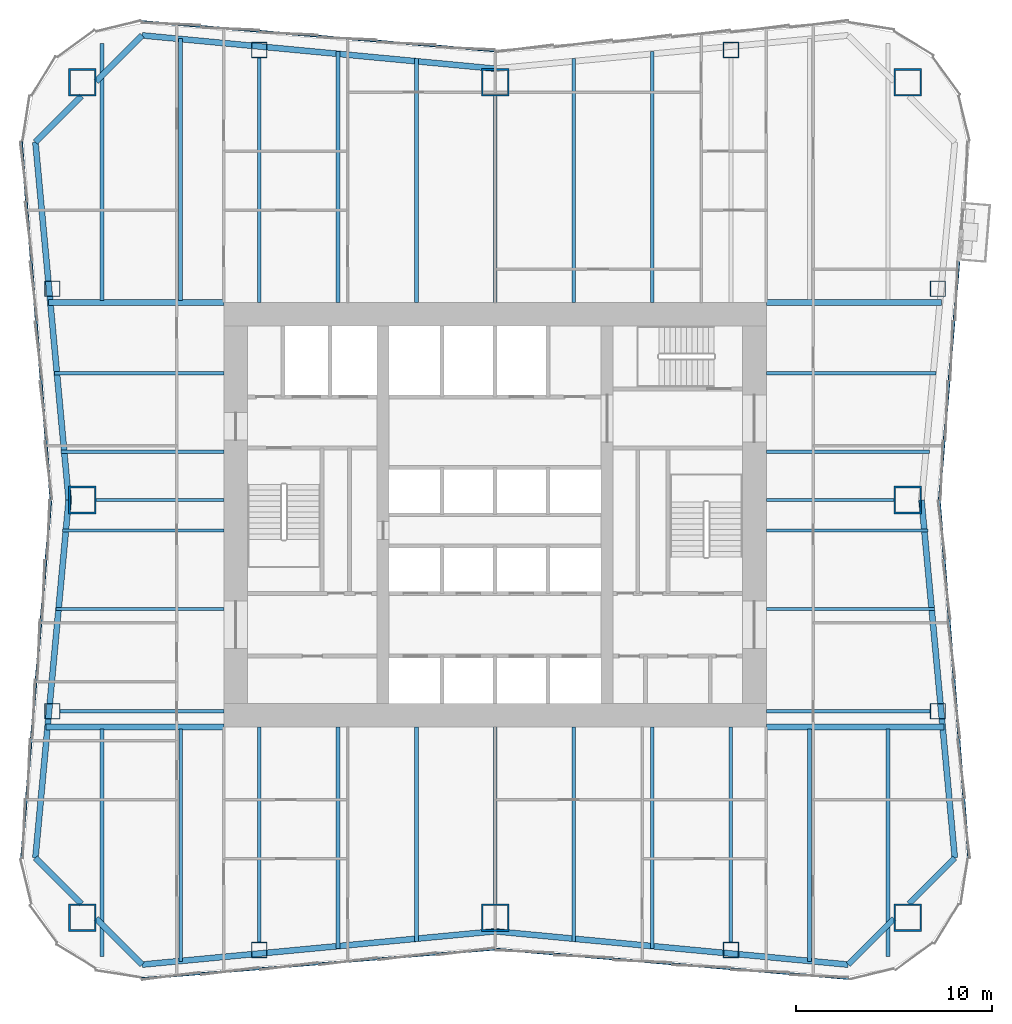
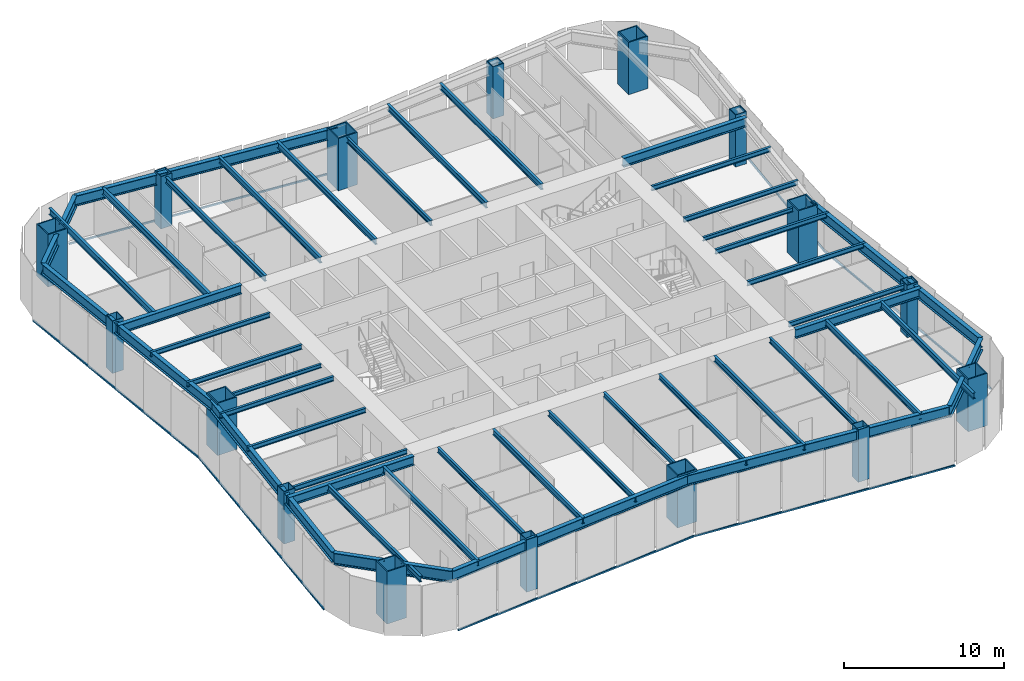
# One storey, part 1 of 9: 47 beams, 16 columns, 7 members, 4 elements without a shape of their own.
"""IFC4 building model written with IfcOpenShell, lengths in metres."""

import ifcopenshell
import ifcopenshell.guid

model = None  # the IFC model being written
_history = None  # IfcOwnerHistory: only IFC2X3 demands one
_inside = {}  # id of a spatial element -> (the spatial element, [elements in it])
_under = {}  # id of a project, library or spatial element -> (it, [spatial elements below it])
_declared = {}  # id of a project -> (the project, [libraries it declares])
_typed = {}  # id of a type object -> (the type object, [elements of that type])
_made_of = {}  # id of a material, layer set ... -> (it, [elements and type objects made of it])


def new_model(schema):
    """Start an empty IFC model of exactly this schema.

    Asked for "IFC4X3", IfcOpenShell would pick the latest addendum, in which some entities
    have other attributes; the version numbers below select the first issue.
    IFC2X3 requires an IfcOwnerHistory on every rooted entity: one is made here for all.
    """
    global model, _history
    if schema == "IFC4X3":
        model = ifcopenshell.file(schema_version=(4, 3, 0, 0))
    else:
        model = ifcopenshell.file(schema=schema)
    _inside.clear()
    _under.clear()
    _declared.clear()
    _typed.clear()
    _made_of.clear()
    _history = None
    if model.schema == "IFC2X3":
        org = make("IfcOrganization", Name="unknown")
        user = make(
            "IfcPersonAndOrganization",
            ThePerson=make("IfcPerson", FamilyName="unknown"),
            TheOrganization=org,
        )
        app = make(
            "IfcApplication",
            ApplicationDeveloper=org,
            Version="unknown",
            ApplicationFullName="unknown",
            ApplicationIdentifier="unknown",
        )
        _history = make(
            "IfcOwnerHistory",
            OwningUser=user,
            OwningApplication=app,
            ChangeAction="ADDED",
            CreationDate=0,
        )
    return model


def make(cls, **values):
    """One entity of the class cls with the attributes given. An attribute that is None is left unset."""
    return model.create_entity(
        cls, **{name: value for name, value in values.items() if value is not None}
    )


def rooted(cls, **values):
    """An entity with a GlobalId (a new one), such as an element, a storey or a relation."""
    return make(cls, GlobalId=ifcopenshell.guid.new(), OwnerHistory=_history, **values)


def si_unit(unit_type, name, prefix=None):
    """IfcSIUnit, for example si_unit("LENGTHUNIT", "METRE", prefix="MILLI")."""
    return make("IfcSIUnit", UnitType=unit_type, Prefix=prefix, Name=name)


def assignment(units):
    """IfcUnitAssignment: the units of a project."""
    return None if units is None else make("IfcUnitAssignment", Units=units)


def point(xyz):
    """IfcCartesianPoint."""
    return None if xyz is None else make("IfcCartesianPoint", Coordinates=xyz)


def direction(xyz):
    """IfcDirection."""
    return None if xyz is None else make("IfcDirection", DirectionRatios=xyz)


def frame(location, z_axis=None, x_axis=None):
    """IfcAxis2Placement3D, a coordinate frame: its origin and axes. An axis left out is left unset."""
    return make(
        "IfcAxis2Placement3D",
        Location=point(location),
        Axis=direction(z_axis),
        RefDirection=direction(x_axis),
    )


def frame_2d(location, x_axis=None):
    """IfcAxis2Placement2D, a coordinate frame in the plane: its origin and x axis."""
    return make(
        "IfcAxis2Placement2D", Location=point(location), RefDirection=direction(x_axis)
    )


def origin():
    """The frame at (0, 0, 0) with its axes left unset."""
    return frame((0.0, 0.0, 0.0))


def origin_2d():
    """The frame at (0, 0) in the plane with its x axis left unset."""
    return frame_2d((0.0, 0.0))


def place(relative_to, where):
    """IfcLocalPlacement: puts the frame where relative to a parent placement (None: the world)."""
    return make(
        "IfcLocalPlacement", PlacementRelTo=relative_to, RelativePlacement=where
    )


def context(
    kind, dimensions, precision=None, world=None, true_north=None, identifier=None
):
    """IfcGeometricRepresentationContext, for example the 3D "Model" context."""
    return make(
        "IfcGeometricRepresentationContext",
        ContextIdentifier=identifier,
        ContextType=kind,
        CoordinateSpaceDimension=dimensions,
        Precision=precision,
        WorldCoordinateSystem=world,
        TrueNorth=true_north,
    )


def subcontext(parent, identifier, kind, view, scale=None):
    """IfcGeometricRepresentationSubContext, for example "Body" below "Model"."""
    return make(
        "IfcGeometricRepresentationSubContext",
        ContextIdentifier=identifier,
        ContextType=kind,
        ParentContext=parent,
        TargetScale=scale,
        TargetView=view,
    )


def project(units=None, contexts=None):
    """IfcProject with its units and contexts."""
    return rooted(
        "IfcProject",
        Name="project",
        RepresentationContexts=contexts,
        UnitsInContext=assignment(units),
    )


def spatial(cls, under=None, at=None, **own):
    """A site, building, storey or space (cls), placed at a placement, below another one or the project."""
    s = rooted(cls, ObjectPlacement=at, **own)
    if under is not None:
        _under.setdefault(under.id(), (under, []))[1].append(s)
    return s


def profile(cls, at=None, kind="AREA", **sizes):
    """A parametric profile (cls). Its sizes go by their IFC names, for example OverallWidth=200.0."""
    return make(cls, ProfileType=kind, Position=at, **sizes)


def rectangle(**sizes):
    """IfcRectangleProfileDef."""
    return profile("IfcRectangleProfileDef", **sizes)


def hollow_rectangle(**sizes):
    """IfcRectangleHollowProfileDef."""
    return profile("IfcRectangleHollowProfileDef", **sizes)


def i_section(**sizes):
    """IfcIShapeProfileDef."""
    return profile("IfcIShapeProfileDef", **sizes)


def extrude(swept, where, along, depth):
    """IfcExtrudedAreaSolid: the profile swept, set in the frame where, extruded along a direction by depth."""
    return make(
        "IfcExtrudedAreaSolid",
        SweptArea=swept,
        Position=where,
        ExtrudedDirection=direction(along),
        Depth=depth,
    )


def shape(context_of_items, identifier, shape_type, items):
    """IfcShapeRepresentation: the items that make up one representation, for example the "Body"."""
    return make(
        "IfcShapeRepresentation",
        ContextOfItems=context_of_items,
        RepresentationIdentifier=identifier,
        RepresentationType=shape_type,
        Items=items,
    )


def material(Name=None, Category=None):
    """IfcMaterial."""
    return make("IfcMaterial", Name=Name, Category=Category)


def material_profile(
    of_material, cross_section, Name=None, Category=None, Priority=None
):
    """IfcMaterialProfile: a cross section and its material."""
    return make(
        "IfcMaterialProfile",
        Name=Name,
        Material=of_material,
        Profile=cross_section,
        Priority=Priority,
        Category=Category,
    )


def profile_set(profiles, Name=None, composite=None):
    """IfcMaterialProfileSet."""
    return make(
        "IfcMaterialProfileSet",
        Name=Name,
        MaterialProfiles=profiles,
        CompositeProfile=composite,
    )


def made_of(thing, what):
    """Note that an element or type object is made of a material, layer set ...; save() writes the relation."""
    if what is not None:
        _made_of.setdefault(what.id(), (what, []))[1].append(thing)
    return thing


def type_object(cls, material=None, **own):
    """A type object (cls), such as IfcWallType, which elements share."""
    return made_of(rooted(cls, **own), material)


def element(
    cls,
    number,
    at=None,
    inside=None,
    cuts=None,
    type_object=None,
    material=None,
    context=None,
    identifier="Body",
    shape_type=None,
    held_by="IfcProductDefinitionShape",
    body=None,
    shapes=None,
    **own,
):
    """One element of the class cls, such as IfcWall. Its Tag is "e" and its number.

    at: its placement. inside: the storey or other place that contains it. cuts: it is an
    opening in that element (IfcRelVoidsElement). A single representation is given by context,
    identifier, shape_type and body (its items); several are given by shapes. held_by: the class
    of the entity that holds the representations. save() writes the other relations.
    """
    e = rooted(cls, Tag="e%d" % number, ObjectPlacement=at, **own)
    if body is not None:
        shapes = [shape(context, identifier, shape_type, body)]
    if shapes is not None:
        e.Representation = make(held_by, Representations=shapes)
    if inside is not None:
        _inside.setdefault(inside.id(), (inside, []))[1].append(e)
    if cuts is not None:
        rooted(
            "IfcRelVoidsElement", RelatingBuildingElement=cuts, RelatedOpeningElement=e
        )
    if type_object is not None:
        _typed.setdefault(type_object.id(), (type_object, []))[1].append(e)
    return made_of(e, material)


def aggregate(whole, parts):
    """IfcRelAggregates: a whole, such as a stair, and the parts it consists of."""
    return rooted("IfcRelAggregates", RelatingObject=whole, RelatedObjects=parts)


def save(model, path):
    """Write the relations noted so far, then the file.

    IfcRelAggregates (storeys below a building ...), IfcRelContainedInSpatialStructure (elements
    in a storey), IfcRelDefinesByType, IfcRelAssociatesMaterial and IfcRelDeclares: one each for
    every whole, place, type object, material and project.
    """
    for whole, parts in _under.values():
        aggregate(whole, parts)
    for where, things in _inside.values():
        rooted(
            "IfcRelContainedInSpatialStructure",
            RelatedElements=things,
            RelatingStructure=where,
        )
    for kind, things in _typed.values():
        rooted("IfcRelDefinesByType", RelatedObjects=things, RelatingType=kind)
    for what, things in _made_of.values():
        rooted("IfcRelAssociatesMaterial", RelatedObjects=things, RelatingMaterial=what)
    for by, libraries in _declared.values():
        rooted("IfcRelDeclares", RelatingContext=by, RelatedDefinitions=libraries)
    model.write(path)


model = new_model("IFC4")

# Units and contexts
model_context = context("Model", 3, precision=1e-05, world=origin(), true_north=direction((0.0, 1.0)))
body_context = subcontext(model_context, "Body", "Model", "MODEL_VIEW")
ifc_project = project(units=[si_unit("LENGTHUNIT", "METRE"), si_unit("AREAUNIT", "SQUARE_METRE"), si_unit("VOLUMEUNIT", "CUBIC_METRE"), si_unit("PLANEANGLEUNIT", "RADIAN"), si_unit("MASSUNIT", "GRAM", prefix="KILO")], contexts=[model_context])

# Site, building, storey
site_placement = place(None, origin())
site = spatial("IfcSite", under=ifc_project, at=site_placement, CompositionType="ELEMENT")
building_placement = place(site_placement, origin())
building = spatial("IfcBuilding", under=site, at=building_placement, Name="Verdant Reach Tower", CompositionType="ELEMENT")
storey_placement = place(building_placement, frame((0.0, 0.0, 98.0)))
storey = spatial("IfcBuildingStorey", under=building, at=storey_placement, Name="L22", CompositionType="ELEMENT", Elevation=98.0)

# Columns
ifc_material_1 = material(Name="Steel S460", Category="steel")
ifc_material_profile_1 = material_profile(ifc_material_1, hollow_rectangle(XDim=1.39990234375, YDim=1.39990234375, WallThickness=0.080078125, at=origin_2d()), Name="WB 1400x1400x80")
ifc_profile_set_1 = profile_set([ifc_material_profile_1], Name="Steel S460")
column_type_1 = type_object("IfcColumnType", Name="ST-COL-WB1400x1400x80", PredefinedType="COLUMN", material=ifc_profile_set_1)
for number, where, z_axis, x_axis, name in (
    (1, (-21.0, 50.0, 0.0), (0.0, 0.0, 1.0), (1.0, 0.0, 0.0), "Mega column north-west, L22"),
    (2, (0.0, 50.0, 0.0), (0.0, 0.0, 1.0), (1.0, 0.0, 0.0), "Mega column north, L22"),
    (3, (21.0, 50.0, 0.0), (0.0, 0.0, 1.0), (1.0, 0.0, 0.0), "Mega column north-east, L22"),
    (4, (21.0, 28.75, 0.0), (0.0, 0.0, 1.0), (1.0, 0.0, 0.0), "Mega column east, L22"),
    (5, (21.0, 7.5, 0.0), (0.0, 0.0, 1.0), (1.0, 0.0, 0.0), "Mega column south-east, L22"),
    (6, (0.0, 7.5, 0.0), (0.0, 0.0, 1.0), (1.0, 0.0, 0.0), "Mega column south, L22"),
    (7, (-21.0, 7.5, 0.0), (0.0, 0.0, 1.0), (1.0, 0.0, 0.0), "Mega column south-west, L22"),
    (8, (-21.0, 28.75, 0.0), (0.0, 0.0, 1.0), (1.0, 0.0, 0.0), "Mega column west, L22"),
):
    element("IfcColumn", number, at=place(storey_placement, frame(where, z_axis=z_axis, x_axis=x_axis)), inside=storey, type_object=column_type_1, Name=name, PredefinedType="COLUMN", context=body_context, shape_type="SweptSolid", body=[
        extrude(hollow_rectangle(XDim=1.39990234375, YDim=1.39990234375, WallThickness=0.080078125, at=origin_2d()), origin(), (0.0, 0.0, 1.0), 4.0),
    ])
ifc_material_profile_2 = material_profile(ifc_material_1, hollow_rectangle(XDim=0.800048828125, YDim=0.800048828125, WallThickness=0.0400390625, at=origin_2d()), Name="WB 800x800x40")
ifc_profile_set_2 = profile_set([ifc_material_profile_2], Name="Steel S460")
column_type_2 = type_object("IfcColumnType", Name="ST-COL-WB800x800x40", PredefinedType="COLUMN", material=ifc_profile_set_2)
for number, where, z_axis, x_axis, name in (
    (9, (-12.0, 51.64990234375, 0.0), (0.0, 0.0, 1.0), (1.0, 0.0, 0.0), "Perimeter column north 1, L22"),
    (10, (12.0, 51.64990234375, 0.0), (0.0, 0.0, 1.0), (1.0, 0.0, 0.0), "Perimeter column north 2, L22"),
    (11, (-12.0, 5.85009765625, 0.0), (0.0, 0.0, 1.0), (1.0, 0.0, 0.0), "Perimeter column south 1, L22"),
    (12, (12.0, 5.85009765625, 0.0), (0.0, 0.0, 1.0), (1.0, 0.0, 0.0), "Perimeter column south 2, L22"),
    (13, (22.53369140625, 18.0, 0.0), (0.0, 0.0, 1.0), (1.0, 0.0, 0.0), "Perimeter column east 1, L22"),
    (14, (22.53369140625, 39.5, 0.0), (0.0, 0.0, 1.0), (1.0, 0.0, 0.0), "Perimeter column east 2, L22"),
    (15, (-22.53369140625, 18.0, 0.0), (0.0, 0.0, 1.0), (1.0, 0.0, 0.0), "Perimeter column west 1, L22"),
    (16, (-22.53369140625, 39.5, 0.0), (0.0, 0.0, 1.0), (1.0, 0.0, 0.0), "Perimeter column west 2, L22"),
):
    element("IfcColumn", number, at=place(storey_placement, frame(where, z_axis=z_axis, x_axis=x_axis)), inside=storey, type_object=column_type_2, Name=name, PredefinedType="COLUMN", context=body_context, shape_type="SweptSolid", body=[
        extrude(hollow_rectangle(XDim=0.800048828125, YDim=0.800048828125, WallThickness=0.0400390625, at=origin_2d()), origin(), (0.0, 0.0, 1.0), 4.0),
    ])

# Curtain wall, members
ifc_material_2 = material(Name="Anodised aluminium", Category="aluminium")
curtain_wall_type = type_object("IfcCurtainWallType", Name="EN-CW SYSTEM Z1", PredefinedType="NOTDEFINED", material=ifc_material_2)
curtain_wall_1_placement = place(storey_placement, origin())
curtain_wall_1 = element("IfcCurtainWall", 17, at=curtain_wall_1_placement, inside=storey, type_object=curtain_wall_type, Name="Curtain wall east, L22", PredefinedType="NOTDEFINED")
ifc_material_profile_3 = material_profile(ifc_material_2, rectangle(XDim=0.10009765625, YDim=0.1220703125, at=origin_2d()), Name="Transom 122x100")
ifc_profile_set_3 = profile_set([ifc_material_profile_3], Name="Anodised aluminium")
member_type = type_object("IfcMemberType", Name="EN-TRANSOM Z1", PredefinedType="USERDEFINED", material=ifc_profile_set_3)
member_1_placement = place(storey_placement, frame((24.100341796875, 10.52490234375, -0.2890625), z_axis=(-0.081886623329, 0.996641651207, 0.0), x_axis=(-0.996641651207, -0.081886623329, 0.0)))
member_1 = element("IfcMember", 18, at=member_1_placement, type_object=member_type, Name="Transom east face part 1 1.1, L22", ObjectType="TRANSOM", PredefinedType="USERDEFINED", context=body_context, shape_type="SweptSolid", body=[
    extrude(rectangle(XDim=0.10009765625, YDim=0.1220703125, at=origin_2d()), origin(), (0.0, 0.0, 1.0), 18.25537109375),
])
member_2_placement = place(storey_placement, frame((22.60546875, 28.781005859375, -0.2890625), z_axis=(0.081948400518, 0.996636573507, 0.0), x_axis=(-0.996636573507, 0.081948400518, 0.0)))
member_2 = element("IfcMember", 19, at=member_2_placement, type_object=member_type, Name="Transom east face part 2 1.1, L22", ObjectType="TRANSOM", PredefinedType="USERDEFINED", context=body_context, shape_type="SweptSolid", body=[
    extrude(rectangle(XDim=0.10009765625, YDim=0.1220703125, at=origin_2d()), origin(), (0.0, 0.0, 1.0), 12.13720703125),
])
aggregate(curtain_wall_1, [member_1, member_2])

# Curtain wall, member
curtain_wall_2_placement = place(storey_placement, origin())
curtain_wall_2 = element("IfcCurtainWall", 20, at=curtain_wall_2_placement, inside=storey, type_object=curtain_wall_type, Name="Curtain wall north, L22", PredefinedType="NOTDEFINED")
member_3_placement = place(storey_placement, frame((-0.031005859375, 51.60546875, -0.2890625), z_axis=(-0.996547815143, 0.083020793384, 0.0), x_axis=(-0.083020793384, -0.996547815143, 0.0)))
member_3 = element("IfcMember", 21, at=member_3_placement, type_object=member_type, Name="Transom north face part 2 1.1, L22", ObjectType="TRANSOM", PredefinedType="USERDEFINED", context=body_context, shape_type="SweptSolid", body=[
    extrude(rectangle(XDim=0.10009765625, YDim=0.1220703125, at=origin_2d()), origin(), (0.0, 0.0, 1.0), 18.006103515625),
])
aggregate(curtain_wall_2, [member_3])

# Curtain wall, members
curtain_wall_3_placement = place(storey_placement, origin())
curtain_wall_3 = element("IfcCurtainWall", 22, at=curtain_wall_3_placement, inside=storey, type_object=curtain_wall_type, Name="Curtain wall west, L22", PredefinedType="NOTDEFINED")
member_4_placement = place(storey_placement, frame((-24.100341796875, 46.97509765625, -0.2890625), z_axis=(0.081886623329, -0.996641651207, 0.0), x_axis=(0.996641651207, 0.081886623329, 0.0)))
member_4 = element("IfcMember", 23, at=member_4_placement, type_object=member_type, Name="Transom west face part 1 1.1, L22", ObjectType="TRANSOM", PredefinedType="USERDEFINED", context=body_context, shape_type="SweptSolid", body=[
    extrude(rectangle(XDim=0.10009765625, YDim=0.1220703125, at=origin_2d()), origin(), (0.0, 0.0, 1.0), 18.25537109375),
])
member_5_placement = place(storey_placement, frame((-22.60546875, 28.718994140625, -0.2890625), z_axis=(-0.081886623329, -0.996641651207, 0.0), x_axis=(0.996641651207, -0.081886623329, 0.0)))
member_5 = element("IfcMember", 24, at=member_5_placement, type_object=member_type, Name="Transom west face part 2 1.1, L22", ObjectType="TRANSOM", PredefinedType="USERDEFINED", context=body_context, shape_type="SweptSolid", body=[
    extrude(rectangle(XDim=0.10009765625, YDim=0.1220703125, at=origin_2d()), origin(), (0.0, 0.0, 1.0), 18.25537109375),
])
aggregate(curtain_wall_3, [member_4, member_5])

curtain_wall_4_placement = place(storey_placement, origin())
curtain_wall_4 = element("IfcCurtainWall", 25, at=curtain_wall_4_placement, inside=storey, type_object=curtain_wall_type, Name="Curtain wall south, L22", PredefinedType="NOTDEFINED")
member_6_placement = place(storey_placement, frame((-17.974853515625, 4.399658203125, -0.2890625), z_axis=(0.996547815143, 0.083020793384, 0.0), x_axis=(-0.083020793384, 0.996547815143, 0.0)))
member_6 = element("IfcMember", 26, at=member_6_placement, type_object=member_type, Name="Transom south face part 1 1.1, L22", ObjectType="TRANSOM", PredefinedType="USERDEFINED", context=body_context, shape_type="SweptSolid", body=[
    extrude(rectangle(XDim=0.10009765625, YDim=0.1220703125, at=origin_2d()), origin(), (0.0, 0.0, 1.0), 18.006103515625),
])
member_7_placement = place(storey_placement, frame((0.031005859375, 5.89453125, -0.2890625), z_axis=(0.996547815143, -0.083020793384, 0.0), x_axis=(0.083020793384, 0.996547815143, 0.0)))
member_7 = element("IfcMember", 27, at=member_7_placement, type_object=member_type, Name="Transom south face part 2 1.1, L22", ObjectType="TRANSOM", PredefinedType="USERDEFINED", context=body_context, shape_type="SweptSolid", body=[
    extrude(rectangle(XDim=0.10009765625, YDim=0.1220703125, at=origin_2d()), origin(), (0.0, 0.0, 1.0), 18.006103515625),
])
aggregate(curtain_wall_4, [member_6, member_7])

# Beams
ifc_material_3 = material(Name="Steel S355", Category="steel")
ifc_material_profile_4 = material_profile(ifc_material_3, i_section(OverallWidth=0.300048828125, OverallDepth=0.699951171875, WebThickness=0.01708984375, FlangeThickness=0.031982421875, FilletRadius=0.027099609375, at=origin_2d()), Name="HEB 700")
ifc_profile_set_4 = profile_set([ifc_material_profile_4], Name="Steel S355")
beam_type_1 = type_object("IfcBeamType", Name="ST-BEAM-HEB700", PredefinedType="BEAM", material=ifc_profile_set_4)
for number, where, z_axis, x_axis, name in (
    (28, (13.800048828125, 38.800048828125, 3.52001953125), (1.0, 0.0, 0.0), (0.0, 1.0, 0.0), "Trimmer beam, L22"),
    (29, (-13.800048828125, 38.800048828125, 3.52001953125), (-1.0, 0.0, 0.0), (0.0, -1.0, 0.0), "Trimmer beam, L22"),
):
    element("IfcBeam", number, at=place(storey_placement, frame(where, z_axis=z_axis, x_axis=x_axis)), inside=storey, type_object=beam_type_1, Name=name, PredefinedType="BEAM", context=body_context, shape_type="SweptSolid", body=[
        extrude(i_section(OverallWidth=0.300048828125, OverallDepth=0.699951171875, WebThickness=0.01708984375, FlangeThickness=0.031982421875, FilletRadius=0.027099609375, at=origin_2d()), origin(), (0.0, 0.0, 1.0), 8.924072265625),
    ])
for number, where, z_axis, x_axis, name in (
    (30, (13.800048828125, 17.199951171875, 3.52001953125), (1.0, 0.0, 0.0), (0.0, 1.0, 0.0), "Trimmer beam, L22"),
    (31, (-13.800048828125, 17.199951171875, 3.52001953125), (-1.0, 0.0, 0.0), (0.0, -1.0, 0.0), "Trimmer beam, L22"),
):
    element("IfcBeam", number, at=place(storey_placement, frame(where, z_axis=z_axis, x_axis=x_axis)), inside=storey, type_object=beam_type_1, Name=name, PredefinedType="BEAM", context=body_context, shape_type="SweptSolid", body=[
        extrude(i_section(OverallWidth=0.300048828125, OverallDepth=0.699951171875, WebThickness=0.01708984375, FlangeThickness=0.031982421875, FilletRadius=0.027099609375, at=origin_2d()), origin(), (0.0, 0.0, 1.0), 9.04736328125),
    ])
ifc_material_profile_5 = material_profile(ifc_material_3, i_section(OverallWidth=0.14990234375, OverallDepth=0.300048828125, WebThickness=0.007080078125, FlangeThickness=0.0107421875, FilletRadius=0.014892578125, at=origin_2d()), Name="IPE 300")
ifc_profile_set_5 = profile_set([ifc_material_profile_5], Name="Steel S355")
beam_type_2 = type_object("IfcBeamType", Name="ST-JOIST-IPE300", PredefinedType="JOIST", material=ifc_profile_set_5)
for number, where, z_axis, x_axis, name in (
    (32, (13.800048828125, 28.75, 3.719970703125), (1.0, 0.0, 0.0), (0.0, 1.0, 0.0), "Floor joist, L22"),
    (33, (-13.800048828125, 28.75, 3.719970703125), (-1.0, 0.0, 0.0), (0.0, -1.0, 0.0), "Floor joist, L22"),
):
    element("IfcBeam", number, at=place(storey_placement, frame(where, z_axis=z_axis, x_axis=x_axis)), inside=storey, type_object=beam_type_2, Name=name, PredefinedType="JOIST", context=body_context, shape_type="SweptSolid", body=[
        extrude(i_section(OverallWidth=0.14990234375, OverallDepth=0.300048828125, WebThickness=0.007080078125, FlangeThickness=0.0107421875, FilletRadius=0.014892578125, at=origin_2d()), origin(), (0.0, 0.0, 1.0), 6.5),
    ])
ifc_material_profile_6 = material_profile(ifc_material_3, i_section(OverallWidth=0.169921875, OverallDepth=0.360107421875, WebThickness=0.008056640625, FlangeThickness=0.0126953125, FilletRadius=0.01806640625, at=origin_2d()), Name="IPE 360")
ifc_profile_set_6 = profile_set([ifc_material_profile_6], Name="Steel S355")
beam_type_3 = type_object("IfcBeamType", Name="ST-JOIST-IPE360", PredefinedType="JOIST", material=ifc_profile_set_6)
beam_1_placement = place(storey_placement, frame((0.0, 17.199951171875, 3.68994140625), z_axis=(0.0, -1.0, 0.0), x_axis=(1.0, 0.0, 0.0)))
element("IfcBeam", 34, at=beam_1_placement, inside=storey, type_object=beam_type_3, Name="Floor joist, L22", PredefinedType="JOIST", context=body_context, shape_type="SweptSolid", body=[
    extrude(i_section(OverallWidth=0.169921875, OverallDepth=0.360107421875, WebThickness=0.008056640625, FlangeThickness=0.0126953125, FilletRadius=0.01806640625, at=origin_2d()), origin(), (0.0, 0.0, 1.0), 9.0),
])
for number, where, z_axis, x_axis, name in (
    (35, (13.800048828125, 18.0, 3.68994140625), (1.0, 0.0, 0.0), (0.0, 1.0, 0.0), "Floor joist, L22"),
    (36, (-13.800048828125, 18.0, 3.68994140625), (-1.0, 0.0, 0.0), (0.0, -1.0, 0.0), "Floor joist, L22"),
):
    element("IfcBeam", number, at=place(storey_placement, frame(where, z_axis=z_axis, x_axis=x_axis)), inside=storey, type_object=beam_type_3, Name=name, PredefinedType="JOIST", context=body_context, shape_type="SweptSolid", body=[
        extrude(i_section(OverallWidth=0.169921875, OverallDepth=0.360107421875, WebThickness=0.008056640625, FlangeThickness=0.0126953125, FilletRadius=0.01806640625, at=origin_2d()), origin(), (0.0, 0.0, 1.0), 8.33349609375),
    ])
for number, where, z_axis, x_axis, name in (
    (37, (13.800048828125, 23.199951171875, 3.68994140625), (1.0, 0.0, 0.0), (0.0, 1.0, 0.0), "Floor joist, L22"),
    (38, (-13.800048828125, 23.199951171875, 3.68994140625), (-1.0, 0.0, 0.0), (0.0, -1.0, 0.0), "Floor joist, L22"),
):
    element("IfcBeam", number, at=place(storey_placement, frame(where, z_axis=z_axis, x_axis=x_axis)), inside=storey, type_object=beam_type_3, Name=name, PredefinedType="JOIST", context=body_context, shape_type="SweptSolid", body=[
        extrude(i_section(OverallWidth=0.169921875, OverallDepth=0.360107421875, WebThickness=0.008056640625, FlangeThickness=0.0126953125, FilletRadius=0.01806640625, at=origin_2d()), origin(), (0.0, 0.0, 1.0), 8.553955078125),
    ])
for number, where, z_axis, x_axis, name in (
    (39, (13.800048828125, 27.199951171875, 3.68994140625), (1.0, 0.0, 0.0), (0.0, 1.0, 0.0), "Floor joist, L22"),
    (40, (-13.800048828125, 27.199951171875, 3.68994140625), (-1.0, 0.0, 0.0), (0.0, -1.0, 0.0), "Floor joist, L22"),
):
    element("IfcBeam", number, at=place(storey_placement, frame(where, z_axis=z_axis, x_axis=x_axis)), inside=storey, type_object=beam_type_3, Name=name, PredefinedType="JOIST", context=body_context, shape_type="SweptSolid", body=[
        extrude(i_section(OverallWidth=0.169921875, OverallDepth=0.360107421875, WebThickness=0.008056640625, FlangeThickness=0.0126953125, FilletRadius=0.01806640625, at=origin_2d()), origin(), (0.0, 0.0, 1.0), 8.225341796875),
    ])
for number, where, z_axis, x_axis, name in (
    (41, (13.800048828125, 31.199951171875, 3.68994140625), (1.0, 0.0, 0.0), (0.0, 1.0, 0.0), "Floor joist, L22"),
    (42, (-13.800048828125, 31.199951171875, 3.68994140625), (-1.0, 0.0, 0.0), (0.0, -1.0, 0.0), "Floor joist, L22"),
):
    element("IfcBeam", number, at=place(storey_placement, frame(where, z_axis=z_axis, x_axis=x_axis)), inside=storey, type_object=beam_type_3, Name=name, PredefinedType="JOIST", context=body_context, shape_type="SweptSolid", body=[
        extrude(i_section(OverallWidth=0.169921875, OverallDepth=0.360107421875, WebThickness=0.008056640625, FlangeThickness=0.0126953125, FilletRadius=0.01806640625, at=origin_2d()), origin(), (0.0, 0.0, 1.0), 8.29931640625),
    ])
for number, where, z_axis, x_axis, name in (
    (43, (13.800048828125, 35.199951171875, 3.68994140625), (1.0, 0.0, 0.0), (0.0, 1.0, 0.0), "Floor joist, L22"),
    (44, (-13.800048828125, 35.199951171875, 3.68994140625), (-1.0, 0.0, 0.0), (0.0, -1.0, 0.0), "Floor joist, L22"),
):
    element("IfcBeam", number, at=place(storey_placement, frame(where, z_axis=z_axis, x_axis=x_axis)), inside=storey, type_object=beam_type_3, Name=name, PredefinedType="JOIST", context=body_context, shape_type="SweptSolid", body=[
        extrude(i_section(OverallWidth=0.169921875, OverallDepth=0.360107421875, WebThickness=0.008056640625, FlangeThickness=0.0126953125, FilletRadius=0.01806640625, at=origin_2d()), origin(), (0.0, 0.0, 1.0), 8.6279296875),
    ])
ifc_material_profile_7 = material_profile(ifc_material_3, i_section(OverallWidth=0.179931640625, OverallDepth=0.39990234375, WebThickness=0.008544921875, FlangeThickness=0.013427734375, FilletRadius=0.02099609375, at=origin_2d()), Name="IPE 400")
ifc_profile_set_7 = profile_set([ifc_material_profile_7], Name="Steel S355")
beam_type_4 = type_object("IfcBeamType", Name="ST-JOIST-IPE400", PredefinedType="JOIST", material=ifc_profile_set_7)
beam_2_placement = place(storey_placement, frame((-12.0, 17.199951171875, 3.669921875), z_axis=(0.0, -1.0, 0.0), x_axis=(1.0, 0.0, 0.0)))
element("IfcBeam", 45, at=beam_2_placement, inside=storey, type_object=beam_type_4, Name="Floor joist, L22", PredefinedType="JOIST", context=body_context, shape_type="SweptSolid", body=[
    extrude(i_section(OverallWidth=0.179931640625, OverallDepth=0.39990234375, WebThickness=0.008544921875, FlangeThickness=0.013427734375, FilletRadius=0.02099609375, at=origin_2d()), origin(), (0.0, 0.0, 1.0), 10.949951171875),
])
beam_3_placement = place(storey_placement, frame((-4.0, 17.199951171875, 3.669921875), z_axis=(0.0, -1.0, 0.0), x_axis=(1.0, 0.0, 0.0)))
element("IfcBeam", 46, at=beam_3_placement, inside=storey, type_object=beam_type_4, Name="Floor joist, L22", PredefinedType="JOIST", context=body_context, shape_type="SweptSolid", body=[
    extrude(i_section(OverallWidth=0.179931640625, OverallDepth=0.39990234375, WebThickness=0.008544921875, FlangeThickness=0.013427734375, FilletRadius=0.02099609375, at=origin_2d()), origin(), (0.0, 0.0, 1.0), 10.93115234375),
])
beam_4_placement = place(storey_placement, frame((0.0, 38.800048828125, 3.669921875), z_axis=(0.0, 1.0, 0.0), x_axis=(-1.0, 0.0, 0.0)))
element("IfcBeam", 47, at=beam_4_placement, inside=storey, type_object=beam_type_4, Name="Floor joist, L22", PredefinedType="JOIST", context=body_context, shape_type="SweptSolid", body=[
    extrude(i_section(OverallWidth=0.179931640625, OverallDepth=0.39990234375, WebThickness=0.008544921875, FlangeThickness=0.013427734375, FilletRadius=0.02099609375, at=origin_2d()), origin(), (0.0, 0.0, 1.0), 10.5),
])
beam_5_placement = place(storey_placement, frame((4.0, 17.199951171875, 3.669921875), z_axis=(0.0, -1.0, 0.0), x_axis=(1.0, 0.0, 0.0)))
element("IfcBeam", 48, at=beam_5_placement, inside=storey, type_object=beam_type_4, Name="Floor joist, L22", PredefinedType="JOIST", context=body_context, shape_type="SweptSolid", body=[
    extrude(i_section(OverallWidth=0.179931640625, OverallDepth=0.39990234375, WebThickness=0.008544921875, FlangeThickness=0.013427734375, FilletRadius=0.02099609375, at=origin_2d()), origin(), (0.0, 0.0, 1.0), 10.93115234375),
])
beam_6_placement = place(storey_placement, frame((12.0, 17.199951171875, 3.669921875), z_axis=(0.0, -1.0, 0.0), x_axis=(1.0, 0.0, 0.0)))
element("IfcBeam", 49, at=beam_6_placement, inside=storey, type_object=beam_type_4, Name="Floor joist, L22", PredefinedType="JOIST", context=body_context, shape_type="SweptSolid", body=[
    extrude(i_section(OverallWidth=0.179931640625, OverallDepth=0.39990234375, WebThickness=0.008544921875, FlangeThickness=0.013427734375, FilletRadius=0.02099609375, at=origin_2d()), origin(), (0.0, 0.0, 1.0), 10.949951171875),
])
ifc_material_profile_8 = material_profile(ifc_material_3, i_section(OverallWidth=0.18994140625, OverallDepth=0.449951171875, WebThickness=0.009521484375, FlangeThickness=0.0146484375, FilletRadius=0.02099609375, at=origin_2d()), Name="IPE 450")
ifc_profile_set_8 = profile_set([ifc_material_profile_8], Name="Steel S355")
beam_type_5 = type_object("IfcBeamType", Name="ST-JOIST-IPE450", PredefinedType="JOIST", material=ifc_profile_set_8)
beam_7_placement = place(storey_placement, frame((-20.0, 17.10009765625, 3.64501953125), z_axis=(0.0, -1.0, 0.0), x_axis=(1.0, 0.0, 0.0)))
element("IfcBeam", 50, at=beam_7_placement, inside=storey, type_object=beam_type_5, Name="Floor joist, L22", PredefinedType="JOIST", context=body_context, shape_type="SweptSolid", body=[
    extrude(i_section(OverallWidth=0.18994140625, OverallDepth=0.449951171875, WebThickness=0.009521484375, FlangeThickness=0.0146484375, FilletRadius=0.02099609375, at=origin_2d()), origin(), (0.0, 0.0, 1.0), 11.590576171875),
])
beam_8_placement = place(storey_placement, frame((-16.0, 17.10009765625, 3.64501953125), z_axis=(0.0, -1.0, 0.0), x_axis=(1.0, 0.0, 0.0)))
element("IfcBeam", 51, at=beam_8_placement, inside=storey, type_object=beam_type_5, Name="Floor joist, L22", PredefinedType="JOIST", context=body_context, shape_type="SweptSolid", body=[
    extrude(i_section(OverallWidth=0.18994140625, OverallDepth=0.449951171875, WebThickness=0.009521484375, FlangeThickness=0.0146484375, FilletRadius=0.02099609375, at=origin_2d()), origin(), (0.0, 0.0, 1.0), 11.831298828125),
])
beam_9_placement = place(storey_placement, frame((-12.0, 38.800048828125, 3.64501953125), z_axis=(0.0, 1.0, 0.0), x_axis=(-1.0, 0.0, 0.0)))
element("IfcBeam", 52, at=beam_9_placement, inside=storey, type_object=beam_type_5, Name="Floor joist, L22", PredefinedType="JOIST", context=body_context, shape_type="SweptSolid", body=[
    extrude(i_section(OverallWidth=0.18994140625, OverallDepth=0.449951171875, WebThickness=0.009521484375, FlangeThickness=0.0146484375, FilletRadius=0.02099609375, at=origin_2d()), origin(), (0.0, 0.0, 1.0), 12.449951171875),
])
beam_10_placement = place(storey_placement, frame((-8.0, 38.800048828125, 3.64501953125), z_axis=(0.0, 1.0, 0.0), x_axis=(-1.0, 0.0, 0.0)))
element("IfcBeam", 53, at=beam_10_placement, inside=storey, type_object=beam_type_5, Name="Floor joist, L22", PredefinedType="JOIST", context=body_context, shape_type="SweptSolid", body=[
    extrude(i_section(OverallWidth=0.18994140625, OverallDepth=0.449951171875, WebThickness=0.009521484375, FlangeThickness=0.0146484375, FilletRadius=0.02099609375, at=origin_2d()), origin(), (0.0, 0.0, 1.0), 12.7646484375),
])
beam_11_placement = place(storey_placement, frame((-8.0, 17.199951171875, 3.64501953125), z_axis=(0.0, -1.0, 0.0), x_axis=(1.0, 0.0, 0.0)))
element("IfcBeam", 54, at=beam_11_placement, inside=storey, type_object=beam_type_5, Name="Floor joist, L22", PredefinedType="JOIST", context=body_context, shape_type="SweptSolid", body=[
    extrude(i_section(OverallWidth=0.18994140625, OverallDepth=0.449951171875, WebThickness=0.009521484375, FlangeThickness=0.0146484375, FilletRadius=0.02099609375, at=origin_2d()), origin(), (0.0, 0.0, 1.0), 11.2646484375),
])
for number, where, z_axis, x_axis, name in (
    (55, (-4.0, 38.800048828125, 3.64501953125), (0.0, 1.0, 0.0), (-1.0, 0.0, 0.0), "Floor joist, L22"),
    (56, (4.0, 38.800048828125, 3.64501953125), (0.0, 1.0, 0.0), (-1.0, 0.0, 0.0), "Floor joist, L22"),
):
    element("IfcBeam", number, at=place(storey_placement, frame(where, z_axis=z_axis, x_axis=x_axis)), inside=storey, type_object=beam_type_5, Name=name, PredefinedType="JOIST", context=body_context, shape_type="SweptSolid", body=[
        extrude(i_section(OverallWidth=0.18994140625, OverallDepth=0.449951171875, WebThickness=0.009521484375, FlangeThickness=0.0146484375, FilletRadius=0.02099609375, at=origin_2d()), origin(), (0.0, 0.0, 1.0), 12.43115234375),
    ])
beam_12_placement = place(storey_placement, frame((8.0, 38.800048828125, 3.64501953125), z_axis=(0.0, 1.0, 0.0), x_axis=(-1.0, 0.0, 0.0)))
element("IfcBeam", 57, at=beam_12_placement, inside=storey, type_object=beam_type_5, Name="Floor joist, L22", PredefinedType="JOIST", context=body_context, shape_type="SweptSolid", body=[
    extrude(i_section(OverallWidth=0.18994140625, OverallDepth=0.449951171875, WebThickness=0.009521484375, FlangeThickness=0.0146484375, FilletRadius=0.02099609375, at=origin_2d()), origin(), (0.0, 0.0, 1.0), 12.7646484375),
])
beam_13_placement = place(storey_placement, frame((8.0, 17.199951171875, 3.64501953125), z_axis=(0.0, -1.0, 0.0), x_axis=(1.0, 0.0, 0.0)))
element("IfcBeam", 58, at=beam_13_placement, inside=storey, type_object=beam_type_5, Name="Floor joist, L22", PredefinedType="JOIST", context=body_context, shape_type="SweptSolid", body=[
    extrude(i_section(OverallWidth=0.18994140625, OverallDepth=0.449951171875, WebThickness=0.009521484375, FlangeThickness=0.0146484375, FilletRadius=0.02099609375, at=origin_2d()), origin(), (0.0, 0.0, 1.0), 11.2646484375),
])
beam_14_placement = place(storey_placement, frame((16.0, 17.10009765625, 3.64501953125), z_axis=(0.0, -1.0, 0.0), x_axis=(1.0, 0.0, 0.0)))
element("IfcBeam", 59, at=beam_14_placement, inside=storey, type_object=beam_type_5, Name="Floor joist, L22", PredefinedType="JOIST", context=body_context, shape_type="SweptSolid", body=[
    extrude(i_section(OverallWidth=0.18994140625, OverallDepth=0.449951171875, WebThickness=0.009521484375, FlangeThickness=0.0146484375, FilletRadius=0.02099609375, at=origin_2d()), origin(), (0.0, 0.0, 1.0), 11.831298828125),
])
beam_15_placement = place(storey_placement, frame((20.0, 17.10009765625, 3.64501953125), z_axis=(0.0, -1.0, 0.0), x_axis=(1.0, 0.0, 0.0)))
element("IfcBeam", 60, at=beam_15_placement, inside=storey, type_object=beam_type_5, Name="Floor joist, L22", PredefinedType="JOIST", context=body_context, shape_type="SweptSolid", body=[
    extrude(i_section(OverallWidth=0.18994140625, OverallDepth=0.449951171875, WebThickness=0.009521484375, FlangeThickness=0.0146484375, FilletRadius=0.02099609375, at=origin_2d()), origin(), (0.0, 0.0, 1.0), 11.590576171875),
])
ifc_material_profile_9 = material_profile(ifc_material_3, i_section(OverallWidth=0.199951171875, OverallDepth=0.5, WebThickness=0.01025390625, FlangeThickness=0.01611328125, FilletRadius=0.02099609375, at=origin_2d()), Name="IPE 500")
ifc_profile_set_9 = profile_set([ifc_material_profile_9], Name="Steel S355")
beam_type_6 = type_object("IfcBeamType", Name="ST-JOIST-IPE500", PredefinedType="JOIST", material=ifc_profile_set_9)
beam_16_placement = place(storey_placement, frame((-20.0, 38.89990234375, 3.6201171875), z_axis=(0.0, 1.0, 0.0), x_axis=(-1.0, 0.0, 0.0)))
element("IfcBeam", 61, at=beam_16_placement, inside=storey, type_object=beam_type_6, Name="Floor joist, L22", PredefinedType="JOIST", context=body_context, shape_type="SweptSolid", body=[
    extrude(i_section(OverallWidth=0.199951171875, OverallDepth=0.5, WebThickness=0.01025390625, FlangeThickness=0.01611328125, FilletRadius=0.02099609375, at=origin_2d()), origin(), (0.0, 0.0, 1.0), 13.090576171875),
])
beam_17_placement = place(storey_placement, frame((-16.0, 38.89990234375, 3.6201171875), z_axis=(0.0, 1.0, 0.0), x_axis=(-1.0, 0.0, 0.0)))
element("IfcBeam", 62, at=beam_17_placement, inside=storey, type_object=beam_type_6, Name="Floor joist, L22", PredefinedType="JOIST", context=body_context, shape_type="SweptSolid", body=[
    extrude(i_section(OverallWidth=0.199951171875, OverallDepth=0.5, WebThickness=0.01025390625, FlangeThickness=0.01611328125, FilletRadius=0.02099609375, at=origin_2d()), origin(), (0.0, 0.0, 1.0), 13.331298828125),
])
ifc_material_profile_10 = material_profile(ifc_material_3, i_section(OverallWidth=0.300048828125, OverallDepth=0.800048828125, WebThickness=0.017578125, FlangeThickness=0.032958984375, FilletRadius=0.030029296875, at=origin_2d()), Name="HEB 800")
ifc_profile_set_10 = profile_set([ifc_material_profile_10], Name="Steel S355")
beam_type_7 = type_object("IfcBeamType", Name="ST-SPANDREL-HEB800", PredefinedType="SPANDREL", material=ifc_profile_set_10)
for number, where, z_axis, x_axis, name in (
    (63, (17.9658203125, 5.10498046875, 3.469970703125), (-0.995578571765, 0.093932462137, 0.0), (-0.093932462137, -0.995578571765, 0.0), "Edge beam, L22"),
    (64, (0.0, 6.800048828125, 3.469970703125), (-0.995578571765, -0.093932462137, 0.0), (0.093932462137, -0.995578571765, 0.0), "Edge beam, L22"),
):
    element("IfcBeam", number, at=place(storey_placement, frame(where, z_axis=z_axis, x_axis=x_axis)), inside=storey, type_object=beam_type_7, Name=name, PredefinedType="SPANDREL", context=body_context, shape_type="SweptSolid", body=[
        extrude(i_section(OverallWidth=0.300048828125, OverallDepth=0.800048828125, WebThickness=0.017578125, FlangeThickness=0.032958984375, FilletRadius=0.030029296875, at=origin_2d()), origin(), (0.0, 0.0, 1.0), 18.045654296875),
    ])
for number, where, z_axis, x_axis, name in (
    (65, (-23.39501953125, 10.53466796875, 3.469970703125), (0.092656907618, 0.995698095544, 0.0), (-0.995698095544, 0.092656907618, 0.0), "Edge beam, L22"),
    (66, (-21.699951171875, 28.75, 3.469970703125), (-0.092656907618, 0.995698095544, 0.0), (-0.995698095544, -0.092656907618, 0.0), "Edge beam, L22"),
):
    element("IfcBeam", number, at=place(storey_placement, frame(where, z_axis=z_axis, x_axis=x_axis)), inside=storey, type_object=beam_type_7, Name=name, PredefinedType="SPANDREL", context=body_context, shape_type="SweptSolid", body=[
        extrude(i_section(OverallWidth=0.300048828125, OverallDepth=0.800048828125, WebThickness=0.017578125, FlangeThickness=0.032958984375, FilletRadius=0.030029296875, at=origin_2d()), origin(), (0.0, 0.0, 1.0), 18.2939453125),
    ])
beam_18_placement = place(storey_placement, frame((-17.9658203125, 52.39501953125, 3.469970703125), z_axis=(0.995578571765, -0.093932462137, 0.0), x_axis=(0.093932462137, 0.995578571765, 0.0)))
element("IfcBeam", 67, at=beam_18_placement, inside=storey, type_object=beam_type_7, Name="Edge beam, L22", PredefinedType="SPANDREL", context=body_context, shape_type="SweptSolid", body=[
    extrude(i_section(OverallWidth=0.300048828125, OverallDepth=0.800048828125, WebThickness=0.017578125, FlangeThickness=0.032958984375, FilletRadius=0.030029296875, at=origin_2d()), origin(), (0.0, 0.0, 1.0), 18.045654296875),
])
beam_19_placement = place(storey_placement, frame((21.699951171875, 28.75, 3.469970703125), z_axis=(0.092656907618, -0.995698095544, 0.0), x_axis=(0.995698095544, 0.092656907618, 0.0)))
element("IfcBeam", 68, at=beam_19_placement, inside=storey, type_object=beam_type_7, Name="Edge beam, L22", PredefinedType="SPANDREL", context=body_context, shape_type="SweptSolid", body=[
    extrude(i_section(OverallWidth=0.300048828125, OverallDepth=0.800048828125, WebThickness=0.017578125, FlangeThickness=0.032958984375, FilletRadius=0.030029296875, at=origin_2d()), origin(), (0.0, 0.0, 1.0), 18.2939453125),
])
ifc_material_profile_11 = material_profile(ifc_material_3, i_section(OverallWidth=0.302001953125, OverallDepth=0.909912109375, WebThickness=0.02099609375, FlangeThickness=0.0400390625, FilletRadius=0.030029296875, at=origin_2d()), Name="HEM 900")
ifc_profile_set_11 = profile_set([ifc_material_profile_11], Name="Steel S355")
beam_type_8 = type_object("IfcBeamType", Name="ST-SPANDREL-HEM900", PredefinedType="SPANDREL", material=ifc_profile_set_11)
beam_20_placement = place(storey_placement, frame((-17.9658203125, 5.10498046875, 3.4150390625), z_axis=(-0.707106781187, 0.707106781187, 0.0), x_axis=(-0.707106781187, -0.707106781187, 0.0)))
element("IfcBeam", 69, at=beam_20_placement, inside=storey, type_object=beam_type_8, Name="Edge beam, L22", PredefinedType="SPANDREL", context=body_context, shape_type="SweptSolid", body=[
    extrude(i_section(OverallWidth=0.302001953125, OverallDepth=0.909912109375, WebThickness=0.02099609375, FlangeThickness=0.0400390625, FilletRadius=0.030029296875, at=origin_2d()), origin(), (0.0, 0.0, 1.0), 3.301025390625),
])
for number, where, z_axis, x_axis, name in (
    (70, (-21.060546875, 8.199951171875, 3.4150390625), (-0.707069807316, 0.707143753123, 0.0), (-0.707143753123, -0.707069807316, 0.0), "Edge beam, L22"),
    (71, (-23.39501953125, 46.96533203125, 3.4150390625), (0.707069807316, 0.707143753123, 0.0), (-0.707143753123, 0.707069807316, 0.0), "Edge beam, L22"),
):
    element("IfcBeam", number, at=place(storey_placement, frame(where, z_axis=z_axis, x_axis=x_axis)), inside=storey, type_object=beam_type_8, Name=name, PredefinedType="SPANDREL", context=body_context, shape_type="SweptSolid", body=[
        extrude(i_section(OverallWidth=0.302001953125, OverallDepth=0.909912109375, WebThickness=0.02099609375, FlangeThickness=0.0400390625, FilletRadius=0.030029296875, at=origin_2d()), origin(), (0.0, 0.0, 1.0), 3.301513671875),
    ])
beam_21_placement = place(storey_placement, frame((-20.300048828125, 50.060791015625, 3.4150390625), z_axis=(0.707106781187, 0.707106781187, 0.0), x_axis=(-0.707106781187, 0.707106781187, 0.0)))
element("IfcBeam", 72, at=beam_21_placement, inside=storey, type_object=beam_type_8, Name="Edge beam, L22", PredefinedType="SPANDREL", context=body_context, shape_type="SweptSolid", body=[
    extrude(i_section(OverallWidth=0.302001953125, OverallDepth=0.909912109375, WebThickness=0.02099609375, FlangeThickness=0.0400390625, FilletRadius=0.030029296875, at=origin_2d()), origin(), (0.0, 0.0, 1.0), 3.301025390625),
])
beam_22_placement = place(storey_placement, frame((23.39501953125, 10.53466796875, 3.4150390625), z_axis=(-0.707069807316, -0.707143753123, 0.0), x_axis=(0.707143753123, -0.707069807316, 0.0)))
element("IfcBeam", 73, at=beam_22_placement, inside=storey, type_object=beam_type_8, Name="Edge beam, L22", PredefinedType="SPANDREL", context=body_context, shape_type="SweptSolid", body=[
    extrude(i_section(OverallWidth=0.302001953125, OverallDepth=0.909912109375, WebThickness=0.02099609375, FlangeThickness=0.0400390625, FilletRadius=0.030029296875, at=origin_2d()), origin(), (0.0, 0.0, 1.0), 3.301513671875),
])
beam_23_placement = place(storey_placement, frame((20.300048828125, 7.439208984375, 3.4150390625), z_axis=(-0.707106781187, -0.707106781187, 0.0), x_axis=(0.707106781187, -0.707106781187, 0.0)))
element("IfcBeam", 74, at=beam_23_placement, inside=storey, type_object=beam_type_8, Name="Edge beam, L22", PredefinedType="SPANDREL", context=body_context, shape_type="SweptSolid", body=[
    extrude(i_section(OverallWidth=0.302001953125, OverallDepth=0.909912109375, WebThickness=0.02099609375, FlangeThickness=0.0400390625, FilletRadius=0.030029296875, at=origin_2d()), origin(), (0.0, 0.0, 1.0), 3.301025390625),
])

save(model, "model.ifc")
